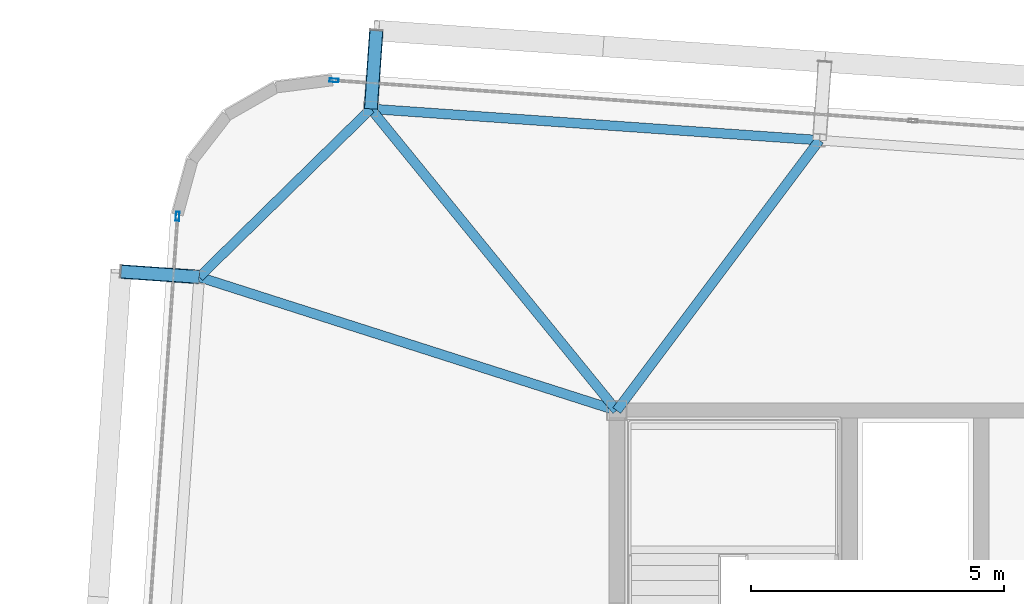
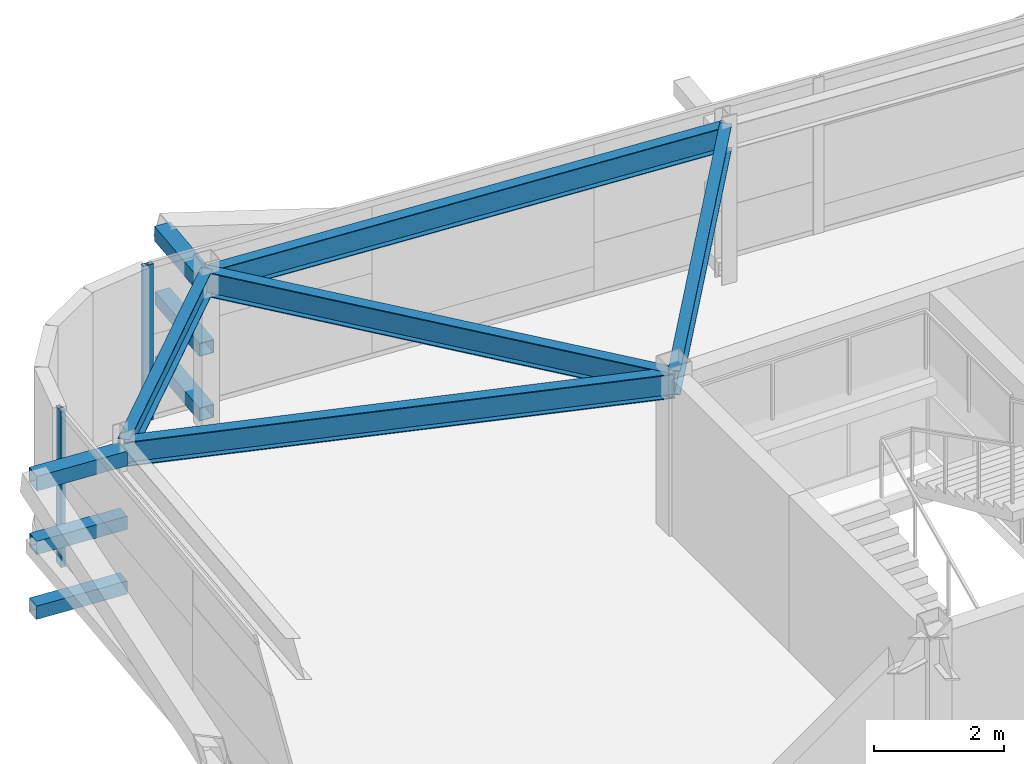
# One storey, part 19 of 39: 8 members, 5 beams, 2 elements without a shape of their own.
"""IFC4 building model written with IfcOpenShell, lengths in metres."""

from ifc_helpers import new_model, si_unit, direction, frame, origin, origin_2d, place, context, subcontext, project, spatial, hollow_rectangle, i_section, extrude, source, transform, mapped, material, layer, layer_set, material_profile, profile_set, type_object, element, aggregate, save


model = new_model("IFC4")

# Units and contexts
model_context = context("Model", 3, precision=1e-05, world=origin(), true_north=direction((0.0, 1.0)))
body_context = subcontext(model_context, "Body", "Model", "MODEL_VIEW")
ifc_project = project(units=[si_unit("LENGTHUNIT", "METRE"), si_unit("AREAUNIT", "SQUARE_METRE"), si_unit("VOLUMEUNIT", "CUBIC_METRE"), si_unit("PLANEANGLEUNIT", "RADIAN"), si_unit("MASSUNIT", "GRAM", prefix="KILO")], contexts=[model_context])

# Site, building, storey
site_placement = place(None, origin())
site = spatial("IfcSite", under=ifc_project, at=site_placement, CompositionType="ELEMENT")
building_placement = place(site_placement, origin())
building = spatial("IfcBuilding", under=site, at=building_placement, Name="Taldren Reach Tower", CompositionType="ELEMENT")
storey_placement = place(building_placement, frame((0.0, 0.0, 129.85009765625)))
storey = spatial("IfcBuildingStorey", under=building, at=storey_placement, Name="L39", CompositionType="ELEMENT", Elevation=129.85009765625)

# Members
ifc_material_1 = material(Name="Steel Gr 450 (C450L0)", Category="steel")
ifc_material_profile_1 = material_profile(ifc_material_1, hollow_rectangle(XDim=0.27490234375, YDim=0.27490234375, WallThickness=0.00927734375, at=origin_2d()), Name="275x275x9.3SHS")
ifc_profile_set_1 = profile_set([ifc_material_profile_1], Name="Steel Gr 450 (C450L0)")
member_type_1 = type_object("IfcMemberType", Name="MB-TIE273", PredefinedType="STRUT", material=ifc_profile_set_1)
shared_shape_1 = source(origin(), body_context, "Body", "SweptSolid", [
    extrude(hollow_rectangle(XDim=0.27490234375, YDim=0.27490234375, WallThickness=0.00927734375, at=origin_2d()), origin(), (0.0, 0.0, 1.0), 1.5498046875),
])
for number, where, z_axis, x_axis, name in (
    (1, (14.14453125, 37.958740234375, 2.64990234375), (0.069780535098, 0.997562367434, 0.0), (-0.997562367434, 0.069780535098, 0.0), "Exoskeleton diaphragm tie strut B3-N1 L39"),
    (2, (10.754638671875, 34.63720703125, 2.64990234375), (-0.997562367434, 0.069780535098, 0.0), (-0.069780535098, -0.997562367434, 0.0), "Exoskeleton diaphragm tie strut B3-W3 L39"),
):
    element("IfcMember", number, at=place(storey_placement, frame(where, z_axis=z_axis, x_axis=x_axis)), inside=storey, type_object=member_type_1, Name=name, PredefinedType="STRUT", context=body_context, shape_type="MappedRepresentation", body=[
        mapped(shared_shape_1, transform((0.0, 0.0, 0.0), scale=1.0)),
    ])
ifc_material_2 = material(Name="Steel Gr 350 (C350L0)", Category="steel")
ifc_material_profile_2 = material_profile(ifc_material_2, hollow_rectangle(XDim=0.25, YDim=0.25, WallThickness=0.010009765625, at=origin_2d()), Name="250x250x10.0SHS")
ifc_profile_set_2 = profile_set([ifc_material_profile_2], Name="Steel Gr 350 (C350L0)")
member_type_2 = type_object("IfcMemberType", Name="MB-POST250", PredefinedType="POST", material=ifc_profile_set_2)
shared_shape_2 = source(origin(), body_context, "Body", "SweptSolid", [
    extrude(hollow_rectangle(XDim=0.25, YDim=0.25, WallThickness=0.010009765625, at=origin_2d()), origin(), (0.0, 0.0, 1.0), 1.5498046875),
])
for number, where, z_axis, x_axis, name in (
    (3, (14.14453125, 37.958740234375, 0.219970703125), (0.069780535098, 0.997562367434, 0.0), (-0.997562367434, 0.069780535098, 0.0), "Exoskeleton base diaphragm tie strut B3-N1 L39"),
    (4, (10.754638671875, 34.63720703125, 0.219970703125), (-0.997562367434, 0.069780535098, 0.0), (-0.069780535098, -0.997562367434, 0.0), "Exoskeleton base diaphragm tie strut B3-W3 L39"),
    (5, (14.14453125, 37.958740234375, 1.434814453125), (0.069780535098, 0.997562367434, 0.0), (-0.997562367434, 0.069780535098, 0.0), "Exoskeleton mid-tier diaphragm tie B3-N1 L39"),
    (6, (10.754638671875, 34.63720703125, 1.434814453125), (-0.997562367434, 0.069780535098, 0.0), (-0.069780535098, -0.997562367434, 0.0), "Exoskeleton mid-tier diaphragm tie B3-W3 L39"),
):
    element("IfcMember", number, at=place(storey_placement, frame(where, z_axis=z_axis, x_axis=x_axis)), inside=storey, type_object=member_type_2, Name=name, PredefinedType="POST", context=body_context, shape_type="MappedRepresentation", body=[
        mapped(shared_shape_2, transform((0.0, 0.0, 0.0), scale=1.0)),
    ])

# Beams
ifc_material_3 = material(Name="Steel Gr 350 (350PLUS)", Category="steel")
ifc_material_profile_3 = material_profile(ifc_material_3, i_section(OverallWidth=0.18994140625, OverallDepth=0.4541015625, WebThickness=0.008544921875, FlangeThickness=0.0126953125, at=origin_2d()), Name="460UB67.1")
ifc_profile_set_3 = profile_set([ifc_material_profile_3], Name="Steel Gr 350 (350PLUS)")
beam_type_1 = type_object("IfcBeamType", Name="SP-UB460B", PredefinedType="SPANDREL", material=ifc_profile_set_3)
shared_shape_3 = source(origin(), body_context, "Body", "SweptSolid", [
    extrude(i_section(OverallWidth=0.18994140625, OverallDepth=0.4541015625, WebThickness=0.008544921875, FlangeThickness=0.0126953125, at=origin_2d()), origin(), (0.0, 0.0, 1.0), 8.880126953125),
])
beam_1_placement = place(storey_placement, frame((23.0029296875, 37.33935546875, 2.702880859375), z_axis=(-0.997564479639, 0.069750333063, 0.0), x_axis=(-0.069750333063, -0.997564479639, 0.0)))
element("IfcBeam", 7, at=beam_1_placement, inside=storey, type_object=beam_type_1, Name="Perimeter spandrel B3 N2-N1 L39", PredefinedType="SPANDREL", context=body_context, shape_type="MappedRepresentation", body=[
    mapped(shared_shape_3, transform((0.0, 0.0, 0.0), scale=1.0)),
])
shared_shape_4 = source(origin(), body_context, "Body", "SweptSolid", [
    extrude(i_section(OverallWidth=0.18994140625, OverallDepth=0.4541015625, WebThickness=0.008544921875, FlangeThickness=0.0126953125, at=origin_2d()), origin(), (0.0, 0.0, 1.0), 4.745849609375),
])
beam_2_placement = place(storey_placement, frame((14.14453125, 37.958740234375, 2.702880859375), z_axis=(-0.714271982806, -0.699868226581, 0.0), x_axis=(0.699868226581, -0.714271982806, 0.0)))
element("IfcBeam", 8, at=beam_2_placement, inside=storey, type_object=beam_type_1, Name="Perimeter spandrel B3 N1-W3 L39", PredefinedType="SPANDREL", context=body_context, shape_type="MappedRepresentation", body=[
    mapped(shared_shape_4, transform((0.0, 0.0, 0.0), scale=1.0)),
])
ifc_material_profile_4 = material_profile(ifc_material_3, i_section(OverallWidth=0.19091796875, OverallDepth=0.4599609375, WebThickness=0.010009765625, FlangeThickness=0.01611328125, at=origin_2d()), Name="460UB82.1")
ifc_profile_set_4 = profile_set([ifc_material_profile_4], Name="Steel Gr 350 (350PLUS)")
beam_type_2 = type_object("IfcBeamType", Name="BM-UB460A", PredefinedType="BEAM", material=ifc_profile_set_4)
shared_shape_5 = source(origin(), body_context, "Body", "SweptSolid", [
    extrude(i_section(OverallWidth=0.19091796875, OverallDepth=0.4599609375, WebThickness=0.010009765625, FlangeThickness=0.01611328125, at=origin_2d()), origin(), (0.0, 0.0, 1.0), 6.67333984375),
])
beam_3_placement = place(storey_placement, frame((19.0, 32.0, 2.699951171875), z_axis=(0.599847795508, 0.800114130749, 0.0), x_axis=(-0.800114130749, 0.599847795508, 0.0)))
element("IfcBeam", 9, at=beam_3_placement, inside=storey, type_object=beam_type_2, Name="Primary floor girder B3-N2 L39", PredefinedType="BEAM", context=body_context, shape_type="MappedRepresentation", body=[
    mapped(shared_shape_5, transform((0.0, 0.0, 0.0), scale=1.0)),
])
shared_shape_6 = source(origin(), body_context, "Body", "SweptSolid", [
    extrude(i_section(OverallWidth=0.19091796875, OverallDepth=0.4599609375, WebThickness=0.010009765625, FlangeThickness=0.01611328125, at=origin_2d()), origin(), (0.0, 0.0, 1.0), 7.6865234375),
])
beam_4_placement = place(storey_placement, frame((19.0, 32.0, 2.699951171875), z_axis=(-0.631688504871, 0.775222311866, 0.0), x_axis=(-0.775222311866, -0.631688504871, 0.0)))
element("IfcBeam", 10, at=beam_4_placement, inside=storey, type_object=beam_type_2, Name="Primary floor girder B3-N1 L39", PredefinedType="BEAM", context=body_context, shape_type="MappedRepresentation", body=[
    mapped(shared_shape_6, transform((0.0, 0.0, 0.0), scale=1.0)),
])
shared_shape_7 = source(origin(), body_context, "Body", "SweptSolid", [
    extrude(i_section(OverallWidth=0.19091796875, OverallDepth=0.4599609375, WebThickness=0.010009765625, FlangeThickness=0.01611328125, at=origin_2d()), origin(), (0.0, 0.0, 1.0), 8.65673828125),
])
beam_5_placement = place(storey_placement, frame((19.0, 32.0, 2.699951171875), z_axis=(-0.952468016288, 0.304638602195, 0.0), x_axis=(-0.304638602195, -0.952468016288, 0.0)))
element("IfcBeam", 11, at=beam_5_placement, inside=storey, type_object=beam_type_2, Name="Primary floor girder B3-W3 L39", PredefinedType="BEAM", context=body_context, shape_type="MappedRepresentation", body=[
    mapped(shared_shape_7, transform((0.0, 0.0, 0.0), scale=1.0)),
])

# Curtain wall, member
ifc_material_4 = material(Name="Aluminium and Low-E Glass Unitised System", Category="aluminium")
ifc_layer = layer(ifc_material_4, 0.159912109375)
ifc_layer_set = layer_set([ifc_layer], Name="Aluminium and Low-E Glass Unitised System")
curtain_wall_type = type_object("IfcCurtainWallType", Name="CW-SYS-4", PredefinedType="NOTDEFINED", material=ifc_layer_set)
curtain_wall_1_placement = place(storey_placement, origin())
curtain_wall_1 = element("IfcCurtainWall", 12, at=curtain_wall_1_placement, inside=storey, type_object=curtain_wall_type, Name="Unitised curtain wall CW-L39-N", PredefinedType="NOTDEFINED")
ifc_material_5 = material(Name="Anodised Aluminium 6063-T6", Category="aluminium")
ifc_material_profile_5 = material_profile(ifc_material_5, hollow_rectangle(XDim=0.070068359375, YDim=0.179931640625, WallThickness=0.00390625, at=origin_2d()), Name="ALU-180x70x4RHS")
ifc_profile_set_5 = profile_set([ifc_material_profile_5], Name="Anodised Aluminium 6063-T6")
member_type_3 = type_object("IfcMemberType", Name="CW-MUL-180", PredefinedType="MULLION", material=ifc_profile_set_5)
shared_shape_8 = source(origin(), body_context, "Body", "SweptSolid", [
    extrude(hollow_rectangle(XDim=0.070068359375, YDim=0.179931640625, WallThickness=0.00390625, at=origin_2d()), origin(), (0.0, 0.0, 1.0), 2.929931640625),
])
member_1_placement = place(storey_placement, frame((13.4169921875, 38.52099609375, 0.0), z_axis=(0.0, 0.0, 1.0), x_axis=(-0.06975651593, -0.99756404731, 0.0)))
member_1 = element("IfcMember", 13, at=member_1_placement, type_object=member_type_3, Name="CW-4 mullion 5", PredefinedType="MULLION", context=body_context, shape_type="MappedRepresentation", body=[
    mapped(shared_shape_8, transform((0.0, 0.0, 0.0), scale=1.0)),
])
aggregate(curtain_wall_1, [member_1])

curtain_wall_2_placement = place(storey_placement, origin())
curtain_wall_2 = element("IfcCurtainWall", 14, at=curtain_wall_2_placement, inside=storey, type_object=curtain_wall_type, Name="Unitised curtain wall CW-L39-W", PredefinedType="NOTDEFINED")
member_2_placement = place(storey_placement, frame((10.3271484375, 35.8349609375, 0.0), z_axis=(0.0, 0.0, 1.0), x_axis=(0.997564052812, -0.069756437251, 0.0)))
member_2 = element("IfcMember", 15, at=member_2_placement, type_object=member_type_3, Name="CW-4 mullion 1", PredefinedType="MULLION", context=body_context, shape_type="MappedRepresentation", body=[
    mapped(shared_shape_8, transform((0.0, 0.0, 0.0), scale=1.0)),
])
aggregate(curtain_wall_2, [member_2])

save(model, "model.ifc")
